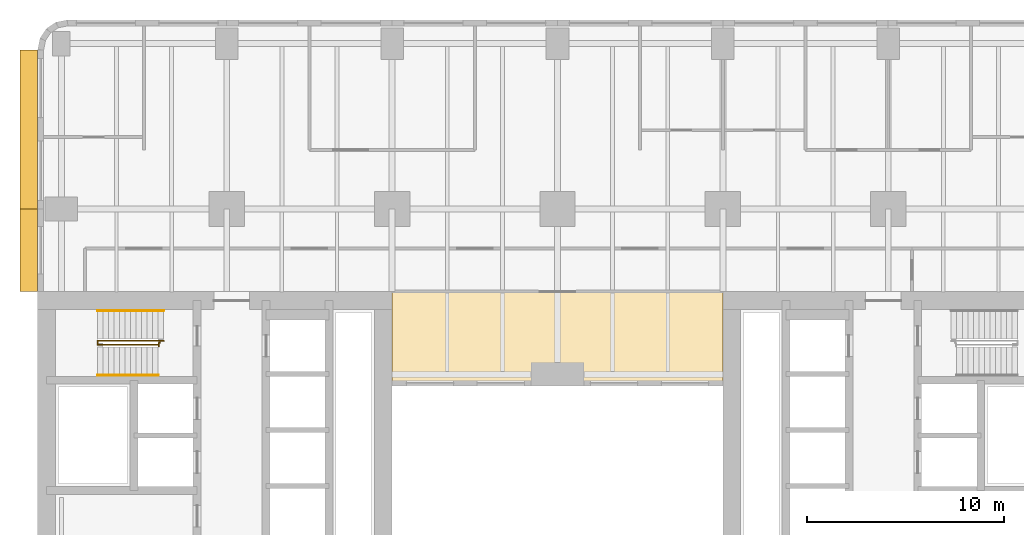
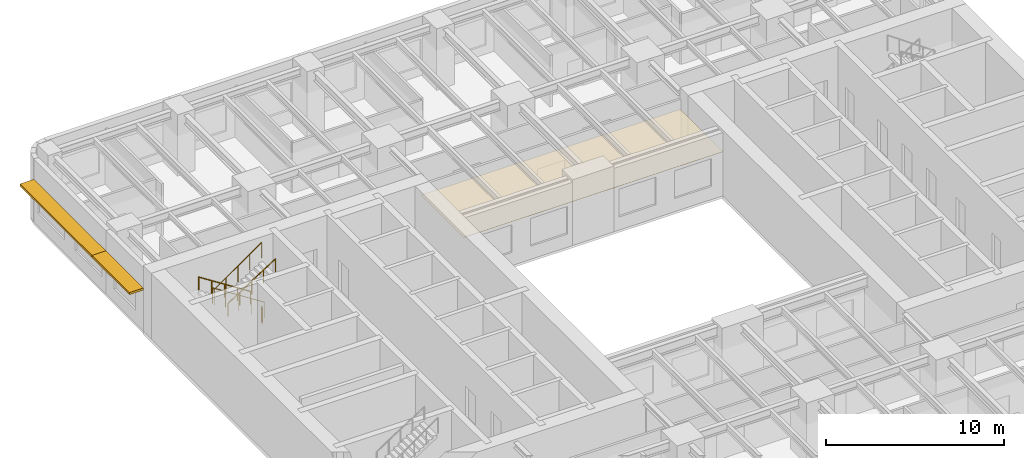
# One storey, part 12 of 14: 4 railings, 2 shading devices, 1 covering.
"""IFC4 building model written with IfcOpenShell, lengths in metres."""

from ifc_helpers import new_model, si_unit, direction, frame, origin, origin_2d, place, context, subcontext, project, spatial, polyline, rectangle, circle, outline, extrude, material, layer, layer_set, type_object, element, save


model = new_model("IFC4")

# Units and contexts
model_context = context("Model", 3, precision=1e-05, world=origin(), true_north=direction((0.0, 1.0)))
body_context = subcontext(model_context, "Body", "Model", "MODEL_VIEW")
ifc_project = project(units=[si_unit("LENGTHUNIT", "METRE"), si_unit("AREAUNIT", "SQUARE_METRE"), si_unit("VOLUMEUNIT", "CUBIC_METRE"), si_unit("PLANEANGLEUNIT", "RADIAN"), si_unit("MASSUNIT", "GRAM", prefix="KILO")], contexts=[model_context])

# Site, building, storey
site_placement = place(None, origin())
site = spatial("IfcSite", under=ifc_project, at=site_placement, CompositionType="ELEMENT")
building_placement = place(site_placement, origin())
building = spatial("IfcBuilding", under=site, at=building_placement, Name="Claustro Exchange Tower", CompositionType="ELEMENT")
storey_placement = place(building_placement, frame((0.0, 0.0, 41.39990234375)))
storey = spatial("IfcBuildingStorey", under=building, at=storey_placement, Name="L09", CompositionType="ELEMENT", Elevation=41.39990234375)

# Covering
ifc_material_1 = material(Name="Gypsum board ceiling", Category="gypsum board")
ifc_layer_1 = layer(ifc_material_1, 0.02490234375)
ifc_layer_set_1 = layer_set([ifc_layer_1], Name="Gypsum board ceiling")
covering_type = type_object("IfcCoveringType", Name="CL2 plasterboard ceiling", PredefinedType="CEILING", material=ifc_layer_set_1)
covering_placement = place(storey_placement, frame((0.0, 0.0, 3.0)))
element("IfcCovering", 1, at=covering_placement, inside=storey, type_object=covering_type, Name="Ceiling CL2 L09-11", PredefinedType="CEILING", context=body_context, shape_type="SweptSolid", body=[
    extrude(outline(polyline([(33.60009765625, 33.0), (33.60009765625, 37.800048828125), (16.800048828125, 37.800048828125), (16.800048828125, 33.0), (33.60009765625, 33.0)])), origin(), (0.0, 0.0, 1.0), 0.025146484375),
])

# Railings
ifc_material_2 = material(Name="Steel balustrade, painted", Category="steel")
railing_type_1 = type_object("IfcRailingType", Name="GR2 1100 steel stair guard", PredefinedType="GUARDRAIL", material=ifc_material_2)
railing_1_placement = place(storey_placement, frame((5.199951171875, 35.300048828125, 0.18017578125)))
element("IfcRailing", 2, at=railing_1_placement, inside=storey, type_object=railing_type_1, Name="Stair well guard GR2 stair STWB L09", PredefinedType="GUARDRAIL", context=body_context, shape_type="SweptSolid", body=[
    extrude(circle(Radius=0.02392578125, at=origin_2d()), frame((0.0, 0.0, 1.076171875), z_axis=(-0.841178475377, 0.0, 0.540757591313), x_axis=(0.0, -1.0, 0.0)), (0.0, 0.0, 1.0), 3.994140625),
    extrude(circle(Radius=0.02392578125, at=origin_2d()), frame((-3.35986328125, 0.0, 3.23583984375), z_axis=(0.0, -1.0, 0.0), x_axis=(1.0, 0.0, 0.0)), (0.0, 0.0, 1.0), 0.199951171875),
    extrude(circle(Radius=0.02392578125, at=origin_2d()), frame((-3.35986328125, -0.199951171875, 3.23583984375), z_axis=(0.818728512145, 0.0, 0.574180828137), x_axis=(0.0, 1.0, 0.0)), (0.0, 0.0, 1.0), 3.76171875),
    extrude(circle(Radius=0.02099609375, at=origin_2d()), origin(), (0.0, 0.0, 1.0), 1.052001953125),
    extrude(circle(Radius=0.02099609375, at=origin_2d()), frame((-0.83984375, 0.0, 0.5400390625)), (0.0, 0.0, 1.0), 1.052001953125),
    extrude(circle(Radius=0.02099609375, at=origin_2d()), frame((-1.679931640625, 0.0, 1.080078125)), (0.0, 0.0, 1.0), 1.052001953125),
    extrude(circle(Radius=0.02099609375, at=origin_2d()), frame((-2.52001953125, 0.0, 1.619873046875)), (0.0, 0.0, 1.0), 1.052001953125),
    extrude(circle(Radius=0.02099609375, at=origin_2d()), frame((-3.35986328125, 0.0, 2.159912109375)), (0.0, 0.0, 1.0), 1.052001953125),
    extrude(circle(Radius=0.02099609375, at=origin_2d()), frame((-3.35986328125, -0.199951171875, 2.159912109375)), (0.0, 0.0, 1.0), 1.052001953125),
    extrude(circle(Radius=0.02099609375, at=origin_2d()), frame((-2.58984375, -0.199951171875, 2.699951171875)), (0.0, 0.0, 1.0), 1.052001953125),
    extrude(circle(Radius=0.02099609375, at=origin_2d()), frame((-1.81982421875, -0.199951171875, 3.23974609375)), (0.0, 0.0, 1.0), 1.052001953125),
    extrude(circle(Radius=0.02099609375, at=origin_2d()), frame((-1.050048828125, -0.199951171875, 3.77978515625)), (0.0, 0.0, 1.0), 1.052001953125),
    extrude(circle(Radius=0.02099609375, at=origin_2d()), frame((-0.280029296875, -0.199951171875, 4.31982421875)), (0.0, 0.0, 1.0), 1.052001953125),
])
railing_2_placement = place(storey_placement, frame((5.0, 35.22998046875, 0.0)))
element("IfcRailing", 3, at=railing_2_placement, inside=storey, type_object=railing_type_1, Name="Stair guard GR2 STWB L09", PredefinedType="GUARDRAIL", context=body_context, shape_type="SweptSolid", body=[
    extrude(circle(Radius=0.02392578125, at=origin_2d()), frame((0.0, 0.0, 1.076171875), z_axis=(0.0, -1.0, 0.0), x_axis=(1.0, 0.0, 0.0)), (0.0, 0.0, 1.0), 0.030029296875),
    extrude(circle(Radius=0.02392578125, at=origin_2d()), frame((0.0, -0.030029296875, 1.076171875), z_axis=(-1.0, 0.0, 0.0), x_axis=(0.0, -1.0, 0.0)), (0.0, 0.0, 1.0), 0.054931640625),
    extrude(circle(Radius=0.02392578125, at=origin_2d()), frame((-0.054931640625, -0.030029296875, 1.076171875), z_axis=(0.0, -1.0, 0.0), x_axis=(1.0, 0.0, 0.0)), (0.0, 0.0, 1.0), 0.179931640625),
    extrude(circle(Radius=0.02099609375, at=origin_2d()), origin(), (0.0, 0.0, 1.0), 1.052001953125),
    extrude(circle(Radius=0.02099609375, at=origin_2d()), frame((0.0, -0.030029296875, 0.0)), (0.0, 0.0, 1.0), 1.052001953125),
    extrude(circle(Radius=0.02099609375, at=origin_2d()), frame((-0.054931640625, -0.030029296875, 0.0)), (0.0, 0.0, 1.0), 1.052001953125),
    extrude(circle(Radius=0.02099609375, at=origin_2d()), frame((-0.054931640625, -0.2099609375, 0.0)), (0.0, 0.0, 1.0), 1.052001953125),
])
ifc_material_3 = material(Name="Stainless steel tube", Category="steel")
railing_type_2 = type_object("IfcRailingType", Name="HR1 900 stair handrail", PredefinedType="HANDRAIL", material=ifc_material_3)
railing_3_placement = place(storey_placement, frame((5.199951171875, 36.840087890625, 0.18017578125)))
element("IfcRailing", 4, at=railing_3_placement, inside=storey, type_object=railing_type_2, Name="Handrail HR1 stair STWB L09", PredefinedType="HANDRAIL", context=body_context, shape_type="SweptSolid", body=[
    extrude(circle(Radius=0.02392578125, at=origin_2d()), frame((0.0, 0.0, 0.8759765625), z_axis=(-0.841178475377, 0.0, 0.540757591313), x_axis=(0.0, -1.0, 0.0)), (0.0, 0.0, 1.0), 3.994140625),
    extrude(circle(Radius=0.02099609375, at=origin_2d()), origin(), (0.0, 0.0, 1.0), 0.851806640625),
    extrude(circle(Radius=0.02099609375, at=origin_2d()), frame((-0.83984375, 0.0, 0.5400390625)), (0.0, 0.0, 1.0), 0.851806640625),
    extrude(circle(Radius=0.02099609375, at=origin_2d()), frame((-1.679931640625, 0.0, 1.080078125)), (0.0, 0.0, 1.0), 0.851806640625),
    extrude(circle(Radius=0.02099609375, at=origin_2d()), frame((-2.52001953125, 0.0, 1.619873046875)), (0.0, 0.0, 1.0), 0.851806640625),
    extrude(circle(Radius=0.02099609375, at=origin_2d()), frame((-3.35986328125, 0.0, 2.159912109375)), (0.0, 0.0, 1.0), 0.851806640625),
])
railing_4_placement = place(storey_placement, frame((1.840087890625, 33.56005859375, 2.52001953125)))
element("IfcRailing", 5, at=railing_4_placement, inside=storey, type_object=railing_type_2, Name="Handrail HR1 stair STWB L09", PredefinedType="HANDRAIL", context=body_context, shape_type="SweptSolid", body=[
    extrude(circle(Radius=0.02392578125, at=origin_2d()), frame((0.0, 0.0, 0.8759765625), z_axis=(0.841167642724, 0.0, 0.540774441735), x_axis=(0.0, 1.0, 0.0)), (0.0, 0.0, 1.0), 3.661376953125),
    extrude(circle(Radius=0.02099609375, at=origin_2d()), origin(), (0.0, 0.0, 1.0), 0.851806640625),
    extrude(circle(Radius=0.02099609375, at=origin_2d()), frame((0.77001953125, 0.0, 0.4951171875)), (0.0, 0.0, 1.0), 0.851806640625),
    extrude(circle(Radius=0.02099609375, at=origin_2d()), frame((1.5400390625, 0.0, 0.989990234375)), (0.0, 0.0, 1.0), 0.851806640625),
    extrude(circle(Radius=0.02099609375, at=origin_2d()), frame((2.309814453125, 0.0, 1.48486328125)), (0.0, 0.0, 1.0), 0.851806640625),
    extrude(circle(Radius=0.02099609375, at=origin_2d()), frame((3.079833984375, 0.0, 1.97998046875)), (0.0, 0.0, 1.0), 0.851806640625),
])

# Shading devices
ifc_material_4 = material(Name="Concrete HA-40 (C40/50), precast, white cement, acid-etched", Category="concrete")
ifc_layer_2 = layer(ifc_material_4, 0.14990234375)
ifc_layer_set_2 = layer_set([ifc_layer_2], Name="Concrete HA-40 (C40/50), precast, white cement, acid-etched")
shading_device_type = type_object("IfcShadingDeviceType", Name="SS2 900 precast concrete SUNSHADE", PredefinedType="SHUTTER", material=ifc_layer_set_2)
shading_device_1_placement = place(storey_placement, frame((-1.64990234375, 39.89990234375, 2.800048828125), z_axis=(0.0, 0.0, 1.0), x_axis=(0.0, 1.0, 0.0)))
element("IfcShadingDevice", 6, at=shading_device_1_placement, inside=storey, type_object=shading_device_type, Name="Precast SUNSHADE SS2 L09", PredefinedType="SHUTTER", context=body_context, shape_type="SweptSolid", body=[
    extrude(rectangle(XDim=4.199951171875, YDim=0.89990234375, at=origin_2d()), origin(), (0.0, 0.0, 1.0), 0.14990234375),
])
shading_device_2_placement = place(storey_placement, frame((-1.64990234375, 46.04248046875, 2.800048828125), z_axis=(0.0, 0.0, 1.0), x_axis=(0.0, 1.0, 0.0)))
element("IfcShadingDevice", 7, at=shading_device_2_placement, inside=storey, type_object=shading_device_type, Name="Precast SUNSHADE SS2 L09", PredefinedType="SHUTTER", context=body_context, shape_type="SweptSolid", body=[
    extrude(rectangle(XDim=8.085205078125, YDim=0.89990234375, at=origin_2d()), origin(), (0.0, 0.0, 1.0), 0.14990234375),
])

save(model, "model.ifc")
